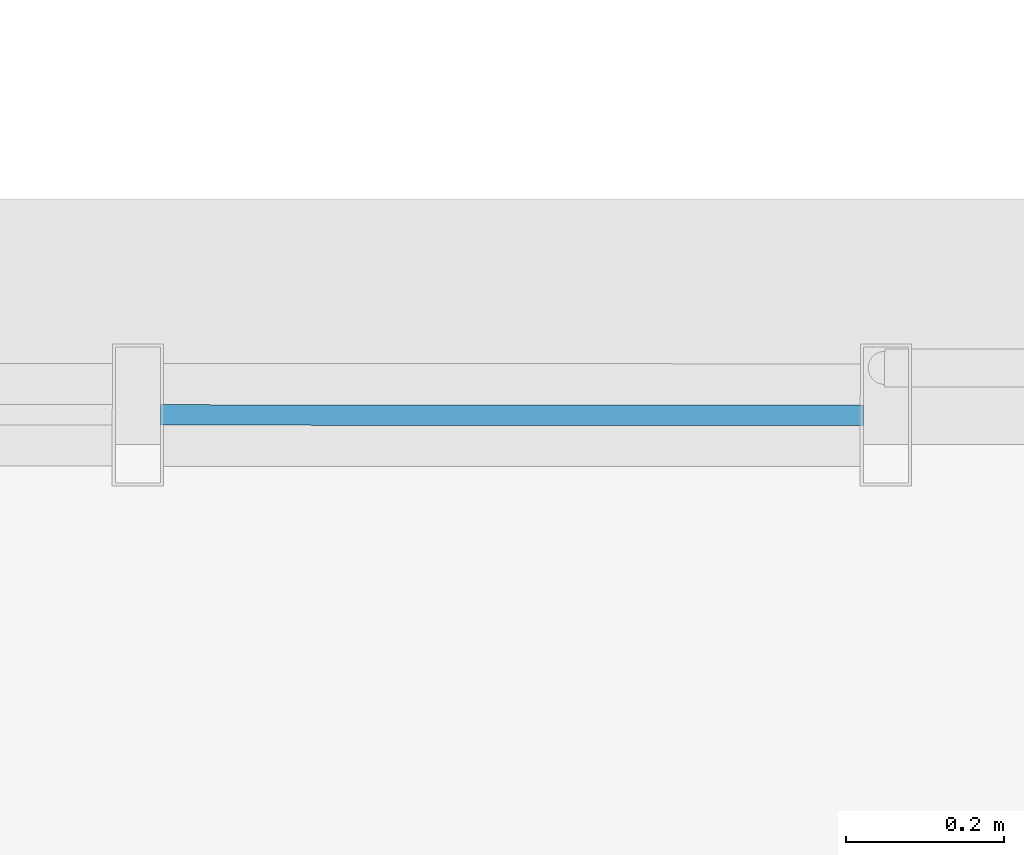
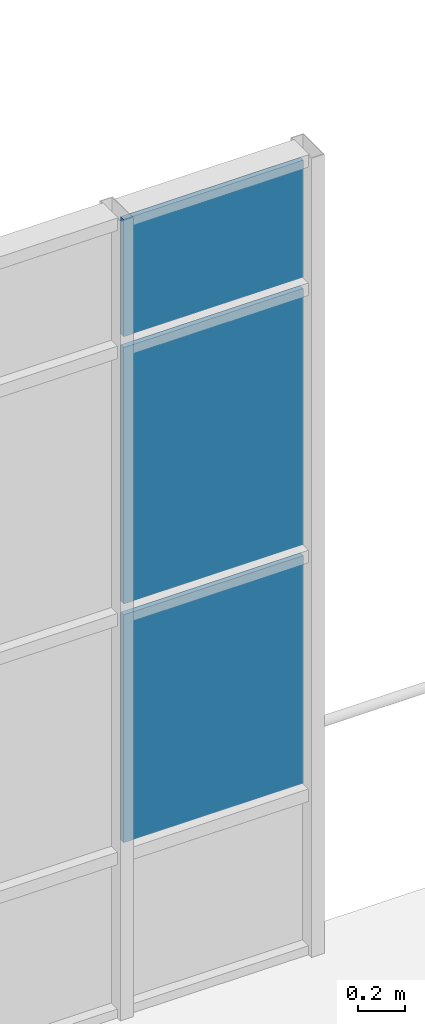
# One storey, part 118 of 142: 3 plates, 1 element without a shape of its own.
"""IFC4 building model written with IfcOpenShell, lengths in metres."""

from ifc_helpers import new_model, si_unit, direction, frame, origin, origin_2d, place, context, subcontext, project, spatial, rectangle, extrude, material, layer, layer_set, type_object, element, aggregate, save


model = new_model("IFC4")

# Units and contexts
model_context = context("Model", 3, precision=1e-05, world=origin(), true_north=direction((0.0, 1.0)))
body_context = subcontext(model_context, "Body", "Model", "MODEL_VIEW")
ifc_project = project(units=[si_unit("LENGTHUNIT", "METRE"), si_unit("AREAUNIT", "SQUARE_METRE"), si_unit("VOLUMEUNIT", "CUBIC_METRE"), si_unit("PLANEANGLEUNIT", "RADIAN"), si_unit("MASSUNIT", "GRAM", prefix="KILO"), si_unit("THERMODYNAMICTEMPERATUREUNIT", "KELVIN"), si_unit("POWERUNIT", "WATT")], contexts=[model_context])

# Site, building, storey
site_placement = place(None, origin())
site = spatial("IfcSite", under=ifc_project, at=site_placement, CompositionType="ELEMENT")
building_placement = place(site_placement, origin())
building = spatial("IfcBuilding", under=site, at=building_placement, Name="Zelmaris Science Centre", CompositionType="ELEMENT")
storey_placement = place(building_placement, frame((0.0, 0.0, 5.39990234375)))
storey = spatial("IfcBuildingStorey", under=building, at=storey_placement, Name="L01", CompositionType="ELEMENT", Elevation=5.39990234375)

# Curtain wall, plates
ifc_material_1 = material(Name="Anodised architectural aluminium 6063-T6", Category="aluminium")
ifc_layer_1 = layer(ifc_material_1, 0.2099609375, Name="Anodised architectural aluminium 6063-T6")
ifc_layer_set_1 = layer_set([ifc_layer_1], Name="Anodised architectural aluminium 6063-T6")
curtain_wall_type = type_object("IfcCurtainWallType", Name="Curtain Wall CW-03", PredefinedType="USERDEFINED", material=ifc_layer_set_1)
curtain_wall_placement = place(storey_placement, origin())
curtain_wall = element("IfcCurtainWall", 1, at=curtain_wall_placement, inside=storey, type_object=curtain_wall_type, Name="L01 Unitised curtain wall 147", ObjectType="GLAZED CURTAIN WALL", PredefinedType="USERDEFINED")
ifc_material_2 = material(Name="Laminated hurricane-rated low-E insulated glazing", Category="glass")
ifc_layer_2 = layer(ifc_material_2, 0.02587890625, Name="Laminated hurricane-rated low-E insulated glazing")
ifc_layer_set_2 = layer_set([ifc_layer_2], Name="Laminated hurricane-rated low-E insulated glazing")
plate_type = type_object("IfcPlateType", Name="Curtain Glazing Panel CWP-3 26mm", PredefinedType="CURTAIN_PANEL", material=ifc_layer_set_2)
plate_1_placement = place(storey_placement, frame((138.938232421875, 55.88232421875, 0.86376953125), z_axis=(0.0, 0.0, 1.0), x_axis=(0.999999881328, -0.000487179425, 0.0)))
plate_1 = element("IfcPlate", 2, at=plate_1_placement, type_object=plate_type, Name="CW-03 panel 4.2", PredefinedType="CURTAIN_PANEL", context=body_context, shape_type="SweptSolid", body=[
    extrude(rectangle(XDim=0.889404296875, YDim=0.02587890625, at=origin_2d()), origin(), (0.0, 0.0, 1.0), 1.193603515625),
])
plate_2_placement = place(storey_placement, frame((138.938232421875, 55.88232421875, 2.1142578125), z_axis=(0.0, 0.0, 1.0), x_axis=(0.999999881328, -0.000487179425, 0.0)))
plate_2 = element("IfcPlate", 3, at=plate_2_placement, type_object=plate_type, Name="CW-03 panel 4.3", PredefinedType="CURTAIN_PANEL", context=body_context, shape_type="SweptSolid", body=[
    extrude(rectangle(XDim=0.889404296875, YDim=0.02587890625, at=origin_2d()), origin(), (0.0, 0.0, 1.0), 1.343505859375),
])
plate_3_placement = place(storey_placement, frame((138.938232421875, 55.88232421875, 3.5146484375), z_axis=(0.0, 0.0, 1.0), x_axis=(0.999999881328, -0.000487179425, 0.0)))
plate_3 = element("IfcPlate", 4, at=plate_3_placement, type_object=plate_type, Name="CW-03 panel 4.4", PredefinedType="CURTAIN_PANEL", context=body_context, shape_type="SweptSolid", body=[
    extrude(rectangle(XDim=0.889404296875, YDim=0.02587890625, at=origin_2d()), origin(), (0.0, 0.0, 1.0), 0.614501953125),
])
aggregate(curtain_wall, [plate_1, plate_2, plate_3])

save(model, "model.ifc")
